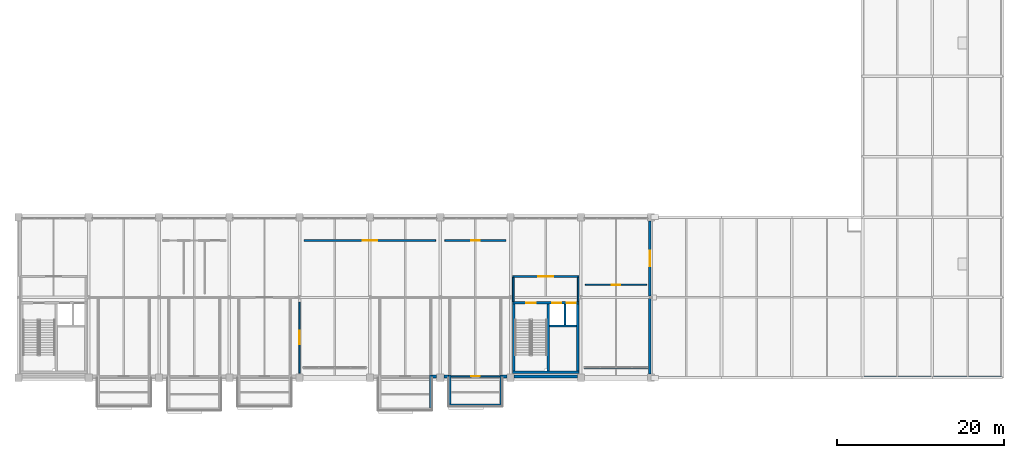
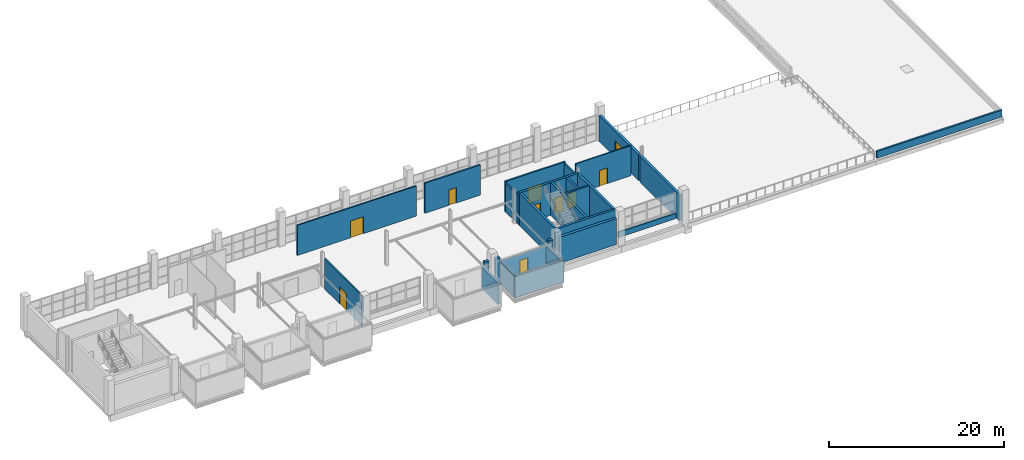
# One storey, part 25 of 29: 27 walls, 10 doors, 10 openings.
"""IFC4 building model written with IfcOpenShell, lengths in metres."""

from ifc_helpers import new_model, si_unit, direction, frame, frame_2d, origin, place, context, subcontext, project, spatial, rectangle, extrude, material, layer, layer_set, type_object, element, fill, save


model = new_model("IFC4")

# Units and contexts
model_context = context("Model", 3, precision=1e-05, world=origin(), true_north=direction((0.0, 1.0)))
body_context = subcontext(model_context, "Body", "Model", "MODEL_VIEW")
ifc_project = project(units=[si_unit("LENGTHUNIT", "METRE"), si_unit("AREAUNIT", "SQUARE_METRE"), si_unit("VOLUMEUNIT", "CUBIC_METRE"), si_unit("PLANEANGLEUNIT", "RADIAN"), si_unit("MASSUNIT", "GRAM", prefix="KILO")], contexts=[model_context])

# Site, building, storey
site_placement = place(None, origin())
site = spatial("IfcSite", under=ifc_project, at=site_placement, CompositionType="ELEMENT")
building_placement = place(site_placement, origin())
building = spatial("IfcBuilding", under=site, at=building_placement, Name="Veltarok Museum of Natural Sciences", CompositionType="ELEMENT")
storey_placement = place(building_placement, frame((0.0, 0.0, 26.39990234375)))
storey = spatial("IfcBuildingStorey", under=building, at=storey_placement, Name="L05", CompositionType="ELEMENT", Elevation=26.39990234375)

# Wall, opening, door
ifc_material_1 = material(Name="Concrete C35/45", Category="concrete")
ifc_layer_1 = layer(ifc_material_1, 0.219970703125)
ifc_layer_set_1 = layer_set([ifc_layer_1], Name="Concrete C35/45")
wall_type_1 = type_object("IfcWallType", Name="Archive Compartment Partition 220", PredefinedType="PARTITIONING", material=ifc_layer_set_1)
wall_1_placement = place(storey_placement, frame((82.550048828125, 16.39990234375, 0.0), z_axis=(0.0, 0.0, 1.0), x_axis=(1.0, 0.0, 0.0)))
wall_1 = element("IfcWall", 1, at=wall_1_placement, inside=storey, type_object=wall_type_1, Name="Interior Partition L05-061", PredefinedType="PARTITIONING", context=body_context, shape_type="SweptSolid", body=[
    extrude(rectangle(XDim=7.300048828125, YDim=0.219970703125, at=frame_2d((3.64990234375, 0.0))), origin(), (0.0, 0.0, 1.0), 4.192138671875),
])
opening_1_placement = place(wall_1_placement, frame((3.14990234375, 0.0, 0.0)))
opening_1 = element("IfcOpeningElement", 2, at=opening_1_placement, cuts=wall_1, Name="Opening D-L05-187", PredefinedType="OPENING", context=body_context, shape_type="SweptSolid", body=[
    extrude(rectangle(XDim=1.0, YDim=2.14990234375, at=frame_2d((0.5, 1.074951171875))), frame((0.0, 0.1201171875, 0.0), z_axis=(0.0, -1.0, 0.0), x_axis=(1.0, 0.0, 0.0)), (0.0, 0.0, 1.0), 0.239990234375),
])
ifc_material_2 = material(Name="Fire-rated painted steel", Category="steel")
door_type_1 = type_object("IfcDoorType", Name="Fire Compartment Single Door 1000x2150", OperationType="NOTDEFINED", PredefinedType="DOOR", material=ifc_material_2)
door_1_placement = place(opening_1_placement, origin())
door_1 = element("IfcDoor", 3, at=door_1_placement, inside=storey, type_object=door_type_1, Name="Interior Door D-L05-187", OperationType="SINGLE_SWING_LEFT", OverallHeight=2.14990234375, OverallWidth=1.0, PredefinedType="DOOR", context=body_context, shape_type="SweptSolid", body=[
    extrude(rectangle(XDim=1.0, YDim=2.14990234375, at=frame_2d((0.5, 1.074951171875))), frame((0.0, 0.02490234375, 0.0), z_axis=(0.0, -1.0, 0.0), x_axis=(1.0, 0.0, 0.0)), (0.0, 0.0, 1.0), 0.050048828125),
])
fill(opening_1, door_1)

# Walls
ifc_material_3 = material(Name="Precast concrete C40/50", Category="concrete")
ifc_layer_2 = layer(ifc_material_3, 0.280029296875)
ifc_layer_set_2 = layer_set([ifc_layer_2], Name="Precast concrete C40/50")
wall_type_2 = type_object("IfcWallType", Name="Cabinet Box Insulated Backup Wall 280", PredefinedType="SOLIDWALL", material=ifc_layer_set_2)
wall_2_placement = place(storey_placement, frame((83.0, -3.260009765625, 0.0), z_axis=(0.0, 0.0, 1.0), x_axis=(1.0, 0.0, 0.0)))
element("IfcWall", 4, at=wall_2_placement, inside=storey, type_object=wall_type_2, Name="Cabinet Box Wall DB-29-S", PredefinedType="SOLIDWALL", context=body_context, shape_type="SweptSolid", body=[
    extrude(rectangle(XDim=6.39990234375, YDim=0.280029296875, at=frame_2d((3.199951171875, 0.0))), origin(), (0.0, 0.0, 1.0), 2.989990234375),
])
for number, where, z_axis, x_axis, name in (
    (5, (83.139892578125, 0.360107421875, 0.0), (0.0, 0.0, 1.0), (0.0, -1.0, 0.0), "Cabinet Box Wall DB-29-W"),
    (6, (89.260009765625, -3.1201171875, 0.0), (0.0, 0.0, 1.0), (0.0, 1.0, 0.0), "Cabinet Box Wall DB-29-E"),
):
    element("IfcWall", number, at=place(storey_placement, frame(where, z_axis=z_axis, x_axis=x_axis)), inside=storey, type_object=wall_type_2, Name=name, PredefinedType="SOLIDWALL", context=body_context, shape_type="SweptSolid", body=[
        extrude(rectangle(XDim=3.480224609375, YDim=0.280029296875, at=frame_2d((1.740234375, 0.0))), origin(), (0.0, 0.0, 1.0), 2.989990234375),
    ])

# Wall, opening, door
ifc_material_4 = material(Name="Acoustic gypsum and mineral wool")
ifc_layer_3 = layer(ifc_material_4, 0.14990234375)
ifc_layer_set_3 = layer_set([ifc_layer_3], Name="Acoustic gypsum and mineral wool")
wall_type_3 = type_object("IfcWallType", Name="Conservation Laboratory Partition 150", PredefinedType="PARTITIONING", material=ifc_layer_set_3)
wall_3_placement = place(storey_placement, frame((99.35009765625, 11.10009765625, 0.0), z_axis=(0.0, 0.0, 1.0), x_axis=(1.0, 0.0, 0.0)))
wall_3 = element("IfcWall", 7, at=wall_3_placement, inside=storey, type_object=wall_type_3, Name="Interior Partition L05-062", PredefinedType="PARTITIONING", context=body_context, shape_type="SweptSolid", body=[
    extrude(rectangle(XDim=7.2998046875, YDim=0.14990234375, at=frame_2d((3.64990234375, 0.0))), origin(), (0.0, 0.0, 1.0), 4.192138671875),
])
opening_2_placement = place(wall_3_placement, frame((3.139892578125, 0.0, 0.0)))
opening_2 = element("IfcOpeningElement", 8, at=opening_2_placement, cuts=wall_3, Name="Opening D-L05-188", PredefinedType="OPENING", context=body_context, shape_type="SweptSolid", body=[
    extrude(rectangle(XDim=1.02001953125, YDim=2.179931640625, at=frame_2d((0.510009765625, 1.08984375))), frame((0.0, 0.0849609375, 0.0), z_axis=(0.0, -1.0, 0.0), x_axis=(1.0, 0.0, 0.0)), (0.0, 0.0, 1.0), 0.169921875),
])
ifc_material_5 = material(Name="Solid European oak")
door_type_2 = type_object("IfcDoorType", Name="Directorate Office Door 1020x2180", OperationType="NOTDEFINED", PredefinedType="DOOR", material=ifc_material_5)
door_2_placement = place(opening_2_placement, origin())
door_2 = element("IfcDoor", 9, at=door_2_placement, inside=storey, type_object=door_type_2, Name="Interior Door D-L05-188", OperationType="SINGLE_SWING_RIGHT", OverallHeight=2.179931640625, OverallWidth=1.02001953125, PredefinedType="DOOR", context=body_context, shape_type="SweptSolid", body=[
    extrude(rectangle(XDim=1.02001953125, YDim=2.179931640625, at=frame_2d((0.510009765625, 1.08984375))), frame((0.0, 0.02490234375, 0.0), z_axis=(0.0, -1.0, 0.0), x_axis=(1.0, 0.0, 0.0)), (0.0, 0.0, 1.0), 0.050048828125),
])
fill(opening_2, door_2)

# Wall
ifc_layer_4 = layer(ifc_material_3, 0.300048828125)
ifc_layer_set_4 = layer_set([ifc_layer_4], Name="Precast concrete C40/50")
wall_type_4 = type_object("IfcWallType", Name="Deep Cabinet Box Insulated Wall 300", PredefinedType="SOLIDWALL", material=ifc_layer_set_4)
wall_4_placement = place(storey_placement, frame((80.85009765625, -3.60009765625, 0.0), z_axis=(0.0, 0.0, 1.0), x_axis=(0.0, 1.0, 0.0)))
element("IfcWall", 10, at=wall_4_placement, inside=storey, type_object=wall_type_4, Name="Cabinet Box Wall DB-28-E", PredefinedType="SOLIDWALL", context=body_context, shape_type="SweptSolid", body=[
    extrude(rectangle(XDim=3.960205078125, YDim=0.300048828125, at=frame_2d((1.97998046875, 0.0))), origin(), (0.0, 0.0, 1.0), 2.989990234375),
])

# Wall, opening, door
ifc_layer_5 = layer(ifc_material_4, 0.179931640625)
ifc_layer_set_5 = layer_set([ifc_layer_5], Name="Acoustic gypsum and mineral wool")
wall_type_5 = type_object("IfcWallType", Name="Exhibition Gallery Partition 180", PredefinedType="PARTITIONING", material=ifc_layer_set_5)
wall_5_placement = place(storey_placement, frame((83.280029296875, 0.179931640625, 0.0), z_axis=(0.0, 0.0, 1.0), x_axis=(1.0, 0.0, 0.0)))
wall_5 = element("IfcWall", 11, at=wall_5_placement, inside=storey, type_object=wall_type_5, Name="Cabinet Threshold Partition DB-29", PredefinedType="PARTITIONING", context=body_context, shape_type="SweptSolid", body=[
    extrude(rectangle(XDim=5.840087890625, YDim=0.179931640625, at=frame_2d((2.919921875, 0.0))), origin(), (0.0, 0.0, 1.0), 2.989990234375),
])
opening_3_placement = place(wall_5_placement, frame((2.39990234375, 0.0, 0.0)))
opening_3 = element("IfcOpeningElement", 12, at=opening_3_placement, cuts=wall_5, Name="Opening D-L05-100", PredefinedType="OPENING", context=body_context, shape_type="SweptSolid", body=[
    extrude(rectangle(XDim=1.0400390625, YDim=2.179931640625, at=frame_2d((0.52001953125, 1.08984375))), frame((0.0, 0.10009765625, 0.0), z_axis=(0.0, -1.0, 0.0), x_axis=(1.0, 0.0, 0.0)), (0.0, 0.0, 1.0), 0.199951171875),
])
ifc_material_6 = material(Name="Airtight powder-coated steel", Category="steel")
door_type_3 = type_object("IfcDoorType", Name="Compact Cabinet Conservation Door 1040x2180", OperationType="NOTDEFINED", PredefinedType="DOOR", material=ifc_material_6)
door_3_placement = place(opening_3_placement, origin())
door_3 = element("IfcDoor", 13, at=door_3_placement, inside=storey, type_object=door_type_3, Name="Cabinet Conservation Door DB-29", OperationType="SINGLE_SWING_RIGHT", OverallHeight=2.179931640625, OverallWidth=1.0400390625, PredefinedType="DOOR", context=body_context, shape_type="SweptSolid", body=[
    extrude(rectangle(XDim=1.0400390625, YDim=2.179931640625, at=frame_2d((0.52001953125, 1.08984375))), frame((0.0, 0.02490234375, 0.0), z_axis=(0.0, -1.0, 0.0), x_axis=(1.0, 0.0, 0.0)), (0.0, 0.0, 1.0), 0.050048828125),
])
fill(opening_3, door_3)

wall_6_placement = place(storey_placement, frame((65.199951171875, 0.550048828125, 0.0), z_axis=(0.0, 0.0, 1.0), x_axis=(0.0, 1.0, 0.0)))
wall_6 = element("IfcWall", 14, at=wall_6_placement, inside=storey, type_object=wall_type_5, Name="Interior Partition L05-059", PredefinedType="PARTITIONING", context=body_context, shape_type="SweptSolid", body=[
    extrude(rectangle(XDim=8.5, YDim=0.179931640625, at=frame_2d((4.25, 0.0))), origin(), (0.0, 0.0, 1.0), 4.232177734375),
])
opening_4_placement = place(wall_6_placement, frame((3.449951171875, 0.0, 0.0)))
opening_4 = element("IfcOpeningElement", 15, at=opening_4_placement, cuts=wall_6, Name="Opening D-L05-185", PredefinedType="OPENING", context=body_context, shape_type="SweptSolid", body=[
    extrude(rectangle(XDim=1.60009765625, YDim=2.39990234375, at=frame_2d((0.800048828125, 1.199951171875))), frame((0.0, 0.10009765625, 0.0), z_axis=(0.0, -1.0, 0.0), x_axis=(1.0, 0.0, 0.0)), (0.0, 0.0, 1.0), 0.199951171875),
])
ifc_material_7 = material(Name="Solid European oak and safety glass", Category="glass")
door_type_4 = type_object("IfcDoorType", Name="Gallery Double Swing Door 1600x2400", OperationType="NOTDEFINED", PredefinedType="DOOR", material=ifc_material_7)
door_4_placement = place(opening_4_placement, origin())
door_4 = element("IfcDoor", 16, at=door_4_placement, inside=storey, type_object=door_type_4, Name="Interior Door D-L05-185", OperationType="DOUBLE_DOOR_SINGLE_SWING", OverallHeight=2.39990234375, OverallWidth=1.60009765625, PredefinedType="DOOR", context=body_context, shape_type="SweptSolid", body=[
    extrude(rectangle(XDim=1.60009765625, YDim=2.39990234375, at=frame_2d((0.800048828125, 1.199951171875))), frame((0.0, 0.02490234375, 0.0), z_axis=(0.0, -1.0, 0.0), x_axis=(1.0, 0.0, 0.0)), (0.0, 0.0, 1.0), 0.050048828125),
])
fill(opening_4, door_4)

wall_7_placement = place(storey_placement, frame((65.75, 16.39990234375, 0.0), z_axis=(0.0, 0.0, 1.0), x_axis=(1.0, 0.0, 0.0)))
wall_7 = element("IfcWall", 17, at=wall_7_placement, inside=storey, type_object=wall_type_5, Name="Interior Partition L05-060", PredefinedType="PARTITIONING", context=body_context, shape_type="SweptSolid", body=[
    extrude(rectangle(XDim=15.699951171875, YDim=0.179931640625, at=frame_2d((7.85009765625, 0.0))), origin(), (0.0, 0.0, 1.0), 4.192138671875),
])
opening_5_placement = place(wall_7_placement, frame((7.0, 0.0, 0.0)))
opening_5 = element("IfcOpeningElement", 18, at=opening_5_placement, cuts=wall_7, Name="Opening D-L05-186", PredefinedType="OPENING", context=body_context, shape_type="SweptSolid", body=[
    extrude(rectangle(XDim=1.699951171875, YDim=2.35009765625, at=frame_2d((0.85009765625, 1.175048828125))), frame((0.0, 0.10009765625, 0.0), z_axis=(0.0, -1.0, 0.0), x_axis=(1.0, 0.0, 0.0)), (0.0, 0.0, 1.0), 0.199951171875),
])
door_type_5 = type_object("IfcDoorType", Name="Gallery Interconnecting Double Door 1700x2350", OperationType="NOTDEFINED", PredefinedType="DOOR", material=ifc_material_7)
door_5_placement = place(opening_5_placement, origin())
door_5 = element("IfcDoor", 19, at=door_5_placement, inside=storey, type_object=door_type_5, Name="Interior Door D-L05-186", OperationType="DOUBLE_DOOR_SINGLE_SWING", OverallHeight=2.35009765625, OverallWidth=1.699951171875, PredefinedType="DOOR", context=body_context, shape_type="SweptSolid", body=[
    extrude(rectangle(XDim=1.699951171875, YDim=2.35009765625, at=frame_2d((0.85009765625, 1.175048828125))), frame((0.0, 0.02490234375, 0.0), z_axis=(0.0, -1.0, 0.0), x_axis=(1.0, 0.0, 0.0)), (0.0, 0.0, 1.0), 0.050048828125),
])
fill(opening_5, door_5)

# Walls
ifc_material_8 = material(Name="Concrete C40/50", Category="concrete")
ifc_layer_6 = layer(ifc_material_8, 0.360107421875)
ifc_layer_set_6 = layer_set([ifc_layer_6], Name="Concrete C40/50")
wall_type_6 = type_object("IfcWallType", Name="Exposed Architectural Concrete Facade Wall 360", PredefinedType="SOLIDWALL", material=ifc_layer_set_6)
for number, where, z_axis, x_axis, name in (
    (20, (81.0, 0.179931640625, 0.0), (0.0, 0.0, 1.0), (1.0, 0.0, 0.0), "Cabinet Collar Wall L05 9-10R"),
    (21, (82.425048828125, 0.179931640625, 0.0), (0.0, 0.0, 1.0), (1.0, 0.0, 0.0), "Cabinet Collar Wall L05 10-11L"),
):
    element("IfcWall", number, at=place(storey_placement, frame(where, z_axis=z_axis, x_axis=x_axis)), inside=storey, type_object=wall_type_6, Name=name, PredefinedType="SOLIDWALL", context=body_context, shape_type="SweptSolid", body=[
        extrude(rectangle(XDim=0.574951171875, YDim=0.360107421875, at=frame_2d((0.28759765625, 0.0))), origin(), (0.0, 0.0, 1.0), 3.625),
    ])
wall_8_placement = place(storey_placement, frame((89.39990234375, 0.179931640625, 0.0), z_axis=(0.0, 0.0, 1.0), x_axis=(1.0, 0.0, 0.0)))
element("IfcWall", 22, at=wall_8_placement, inside=storey, type_object=wall_type_6, Name="Cabinet Collar Wall L05 10-11R", PredefinedType="SOLIDWALL", context=body_context, shape_type="SweptSolid", body=[
    extrude(rectangle(XDim=0.5751953125, YDim=0.360107421875, at=frame_2d((0.28759765625, 0.0))), origin(), (0.0, 0.0, 1.0), 3.625),
])
wall_9_placement = place(storey_placement, frame((90.824951171875, 0.179931640625, 0.0), z_axis=(0.0, 0.0, 1.0), x_axis=(1.0, 0.0, 0.0)))
element("IfcWall", 23, at=wall_9_placement, inside=storey, type_object=wall_type_6, Name="South Core Facade Wall L05 11-12", PredefinedType="SOLIDWALL", context=body_context, shape_type="SweptSolid", body=[
    extrude(rectangle(XDim=7.550048828125, YDim=0.360107421875, at=frame_2d((3.77490234375, 0.0))), origin(), (0.0, 0.0, 1.0), 3.625),
])

# Wall, opening, door
ifc_layer_7 = layer(ifc_material_1, 0.199951171875)
ifc_layer_set_7 = layer_set([ifc_layer_7], Name="Concrete C35/45")
wall_type_7 = type_object("IfcWallType", Name="Firefighting Lobby Compartment Wall 200", PredefinedType="SOLIDWALL", material=ifc_layer_set_7)
wall_10_placement = place(storey_placement, frame((90.6298828125, 12.10009765625, 0.0), z_axis=(0.0, 0.0, 1.0), x_axis=(1.0, 0.0, 0.0)))
wall_10 = element("IfcWall", 24, at=wall_10_placement, inside=storey, type_object=wall_type_7, Name="Firefighting Lobby Wall C2 L05 N", PredefinedType="SOLIDWALL", context=body_context, shape_type="SweptSolid", body=[
    extrude(rectangle(XDim=7.940185546875, YDim=0.199951171875, at=frame_2d((3.97021484375, 0.0))), origin(), (0.0, 0.0, 1.0), 4.192138671875),
])
opening_6_placement = place(wall_10_placement, frame((3.070068359375, 0.0, 0.0)))
opening_6 = element("IfcOpeningElement", 25, at=opening_6_placement, cuts=wall_10, Name="Opening D-L05-071", PredefinedType="OPENING", context=body_context, shape_type="SweptSolid", body=[
    extrude(rectangle(XDim=1.800048828125, YDim=2.199951171875, at=frame_2d((0.89990234375, 1.10009765625))), frame((0.0, 0.10986328125, 0.0), z_axis=(0.0, -1.0, 0.0), x_axis=(1.0, 0.0, 0.0)), (0.0, 0.0, 1.0), 0.219970703125),
])
ifc_material_9 = material(Name="Fire-rated steel and vision glass", Category="steel")
door_type_6 = type_object("IfcDoorType", Name="Fire Lobby Double Door 1800x2200", OperationType="NOTDEFINED", PredefinedType="DOOR", material=ifc_material_9)
door_6_placement = place(opening_6_placement, origin())
door_6 = element("IfcDoor", 26, at=door_6_placement, inside=storey, type_object=door_type_6, Name="Firefighting Lobby Entrance Door C2 L05", OperationType="DOUBLE_DOOR_SINGLE_SWING", OverallHeight=2.199951171875, OverallWidth=1.800048828125, PredefinedType="DOOR", context=body_context, shape_type="SweptSolid", body=[
    extrude(rectangle(XDim=1.800048828125, YDim=2.199951171875, at=frame_2d((0.89990234375, 1.10009765625))), frame((0.0, 0.02490234375, 0.0), z_axis=(0.0, -1.0, 0.0), x_axis=(1.0, 0.0, 0.0)), (0.0, 0.0, 1.0), 0.050048828125),
])
fill(opening_6, door_6)

# Walls
for number, where, z_axis, x_axis, name in (
    (27, (90.72998046875, 9.10009765625, 0.0), (0.0, 0.0, 1.0), (0.0, 1.0, 0.0), "Firefighting Lobby Wall C2 L05 W"),
    (28, (98.469970703125, 12.0, 0.0), (0.0, 0.0, 1.0), (0.0, -1.0, 0.0), "Firefighting Lobby Wall C2 L05 E"),
):
    element("IfcWall", number, at=place(storey_placement, frame(where, z_axis=z_axis, x_axis=x_axis)), inside=storey, type_object=wall_type_7, Name=name, PredefinedType="SOLIDWALL", context=body_context, shape_type="SweptSolid", body=[
        extrude(rectangle(XDim=2.89990234375, YDim=0.199951171875, at=frame_2d((1.449951171875, 0.0))), origin(), (0.0, 0.0, 1.0), 4.022216796875),
    ])
ifc_layer_8 = layer(ifc_material_3, 0.239990234375)
ifc_layer_set_8 = layer_set([ifc_layer_8], Name="Precast concrete C40/50")
wall_type_8 = type_object("IfcWallType", Name="Flat Roof Concrete Parapet Wall 240", PredefinedType="PARAPET", material=ifc_layer_set_8)
wall_11_placement = place(storey_placement, frame((132.639892578125, 0.1201171875, 0.0), z_axis=(0.0, 0.0, 1.0), x_axis=(1.0, 0.0, 0.0)))
element("IfcWall", 29, at=wall_11_placement, inside=storey, type_object=wall_type_8, Name="Roof Parapet Wall L05-18", PredefinedType="PARAPET", context=body_context, shape_type="SweptSolid", body=[
    extrude(rectangle(XDim=16.440185546875, YDim=0.239990234375, at=frame_2d((8.22021484375, 0.0))), origin(), (0.0, 0.0, 1.0), 0.9501953125),
])

# Wall, opening, door
ifc_layer_9 = layer(ifc_material_3, 0.320068359375)
ifc_layer_set_9 = layer_set([ifc_layer_9], Name="Precast concrete C40/50")
wall_type_9 = type_object("IfcWallType", Name="Insulated Precast Facade Wall 320", PredefinedType="SOLIDWALL", material=ifc_layer_set_9)
wall_12_placement = place(storey_placement, frame((107.0400390625, 9.75, 0.0), z_axis=(0.0, 0.0, 1.0), x_axis=(0.0, 1.0, 0.0)))
wall_12 = element("IfcWall", 30, at=wall_12_placement, inside=storey, type_object=wall_type_9, Name="Terrace Access Wall L05 D-L05-T01", PredefinedType="SOLIDWALL", context=body_context, shape_type="SweptSolid", body=[
    extrude(rectangle(XDim=9.0, YDim=0.320068359375, at=frame_2d((4.5, 0.0))), origin(), (0.0, 0.0, 1.0), 3.6220703125),
])
opening_7_placement = place(wall_12_placement, frame((3.60009765625, 0.0, 0.0)))
opening_7 = element("IfcOpeningElement", 31, at=opening_7_placement, cuts=wall_12, Name="Opening D-L05-T01", PredefinedType="OPENING", context=body_context, shape_type="SweptSolid", body=[
    extrude(rectangle(XDim=1.800048828125, YDim=2.300048828125, at=frame_2d((0.89990234375, 1.14990234375))), frame((0.0, 0.169921875, 0.0), z_axis=(0.0, -1.0, 0.0), x_axis=(1.0, 0.0, 0.0)), (0.0, 0.0, 1.0), 0.340087890625),
])
ifc_material_10 = material(Name="Thermally broken aluminium and glass", Category="aluminium")
door_type_7 = type_object("IfcDoorType", Name="Terrace Double Glazed Door 1800x2300", OperationType="NOTDEFINED", PredefinedType="DOOR", material=ifc_material_10)
door_7_placement = place(opening_7_placement, frame((1.800048828125, 0.0, 0.0), z_axis=(0.0, 0.0, 1.0), x_axis=(-1.0, 0.0, 0.0)))
door_7 = element("IfcDoor", 32, at=door_7_placement, inside=storey, type_object=door_type_7, Name="Terrace Access Door D-L05-T01", OperationType="DOUBLE_DOOR_SINGLE_SWING", OverallHeight=2.300048828125, OverallWidth=1.800048828125, PredefinedType="DOOR", context=body_context, shape_type="SweptSolid", body=[
    extrude(rectangle(XDim=1.800048828125, YDim=2.300048828125, at=frame_2d((0.89990234375, 1.14990234375))), frame((0.0, 0.02490234375, 0.0), z_axis=(0.0, -1.0, 0.0), x_axis=(1.0, 0.0, 0.0)), (0.0, 0.0, 1.0), 0.050048828125),
])
fill(opening_7, door_7)

# Walls
wall_13_placement = place(storey_placement, frame((107.0400390625, 0.449951171875, 0.0), z_axis=(0.0, 0.0, 1.0), x_axis=(0.0, 1.0, 0.0)))
element("IfcWall", 33, at=wall_13_placement, inside=storey, type_object=wall_type_9, Name="V1 East End Facade Wall L05 13/A-B", PredefinedType="SOLIDWALL", context=body_context, shape_type="SweptSolid", body=[
    extrude(rectangle(XDim=9.0, YDim=0.320068359375, at=frame_2d((4.5, 0.0))), origin(), (0.0, 0.0, 1.0), 3.6220703125),
])
ifc_layer_10 = layer(ifc_material_8, 0.25)
ifc_layer_set_10 = layer_set([ifc_layer_10], Name="Concrete C40/50")
wall_type_10 = type_object("IfcWallType", Name="Lift Shaft Concrete Shear Wall 250", PredefinedType="SHEAR", material=ifc_layer_set_10)
wall_14_placement = place(storey_placement, frame((96.9150390625, 6.300048828125, 0.0), z_axis=(0.0, 0.0, 1.0), x_axis=(0.0, 1.0, 0.0)))
element("IfcWall", 34, at=wall_14_placement, inside=storey, type_object=wall_type_10, Name="Lift Shaft Divider Wall C2 L05", PredefinedType="SHEAR", context=body_context, shape_type="SweptSolid", body=[
    extrude(rectangle(XDim=2.5, YDim=0.25, at=frame_2d((1.25, 0.0))), origin(), (0.0, 0.0, 1.0), 4.5400390625),
])
wall_15_placement = place(storey_placement, frame((95.070068359375, 6.175048828125, 0.0), z_axis=(0.0, 0.0, 1.0), x_axis=(1.0, 0.0, 0.0)))
element("IfcWall", 35, at=wall_15_placement, inside=storey, type_object=wall_type_10, Name="Lift Shaft Back Wall C2 L05", PredefinedType="SHEAR", context=body_context, shape_type="SweptSolid", body=[
    extrude(rectangle(XDim=3.199951171875, YDim=0.25, at=frame_2d((1.60009765625, 0.0))), origin(), (0.0, 0.0, 1.0), 4.5400390625),
])
ifc_layer_11 = layer(ifc_material_8, 0.300048828125)
ifc_layer_set_11 = layer_set([ifc_layer_11], Name="Concrete C40/50")
wall_type_11 = type_object("IfcWallType", Name="Protected Core Shear Wall 300", PredefinedType="SHEAR", material=ifc_layer_set_11)
wall_16_placement = place(storey_placement, frame((90.6298828125, 0.64990234375, 0.0), z_axis=(0.0, 0.0, 1.0), x_axis=(1.0, 0.0, 0.0)))
element("IfcWall", 36, at=wall_16_placement, inside=storey, type_object=wall_type_11, Name="Core Shear Wall C2 L05 S", PredefinedType="SHEAR", context=body_context, shape_type="SweptSolid", body=[
    extrude(rectangle(XDim=7.940185546875, YDim=0.300048828125, at=frame_2d((3.97021484375, 0.0))), origin(), (0.0, 0.0, 1.0), 4.5400390625),
])

# Wall, openings, doors
wall_17_placement = place(storey_placement, frame((98.570068359375, 8.949951171875, 0.0), z_axis=(0.0, 0.0, 1.0), x_axis=(-1.0, 0.0, 0.0)))
wall_17 = element("IfcWall", 37, at=wall_17_placement, inside=storey, type_object=wall_type_11, Name="Core Shear Wall C2 L05 N", PredefinedType="SHEAR", context=body_context, shape_type="SweptSolid", body=[
    extrude(rectangle(XDim=7.940185546875, YDim=0.300048828125, at=frame_2d((3.97021484375, 0.0))), origin(), (0.0, 0.0, 1.0), 4.5400390625),
])
opening_8_placement = place(wall_17_placement, frame((5.169921875, 0.0, 0.0)))
opening_8 = element("IfcOpeningElement", 38, at=opening_8_placement, cuts=wall_17, Name="Opening D-L05-070", PredefinedType="OPENING", context=body_context, shape_type="SweptSolid", body=[
    extrude(rectangle(XDim=1.10009765625, YDim=2.199951171875, at=frame_2d((0.550048828125, 1.10009765625))), frame((0.0, 0.16015625, 0.0), z_axis=(0.0, -1.0, 0.0), x_axis=(1.0, 0.0, 0.0)), (0.0, 0.0, 1.0), 0.320068359375),
])
opening_9_placement = place(wall_17_placement, frame((2.090087890625, 0.0, 0.0)))
opening_9 = element("IfcOpeningElement", 39, at=opening_9_placement, cuts=wall_17, Name="Opening LD-L05-LP-02", PredefinedType="OPENING", context=body_context, shape_type="SweptSolid", body=[
    extrude(rectangle(XDim=1.10009765625, YDim=2.10009765625, at=frame_2d((0.550048828125, 1.050048828125))), frame((0.0, 0.16015625, 0.0), z_axis=(0.0, -1.0, 0.0), x_axis=(1.0, 0.0, 0.0)), (0.0, 0.0, 1.0), 0.320068359375),
])
opening_10_placement = place(wall_17_placement, frame((0.364990234375, 0.0, 0.0)))
opening_10 = element("IfcOpeningElement", 40, at=opening_10_placement, cuts=wall_17, Name="Opening LD-L05-FL-02", PredefinedType="OPENING", context=body_context, shape_type="SweptSolid", body=[
    extrude(rectangle(XDim=1.10009765625, YDim=2.10009765625, at=frame_2d((0.550048828125, 1.050048828125))), frame((0.0, 0.16015625, 0.0), z_axis=(0.0, -1.0, 0.0), x_axis=(1.0, 0.0, 0.0)), (0.0, 0.0, 1.0), 0.320068359375),
])
door_type_8 = type_object("IfcDoorType", Name="Fire Core Single Escape Door 1100x2200", OperationType="NOTDEFINED", PredefinedType="DOOR", material=ifc_material_2)
door_8_placement = place(opening_8_placement, origin())
door_8 = element("IfcDoor", 41, at=door_8_placement, inside=storey, type_object=door_type_8, Name="Protected Stair Door ST-02 L05", OperationType="SINGLE_SWING_LEFT", OverallHeight=2.199951171875, OverallWidth=1.10009765625, PredefinedType="DOOR", context=body_context, shape_type="SweptSolid", body=[
    extrude(rectangle(XDim=1.10009765625, YDim=2.199951171875, at=frame_2d((0.550048828125, 1.10009765625))), frame((0.0, 0.02490234375, 0.0), z_axis=(0.0, -1.0, 0.0), x_axis=(1.0, 0.0, 0.0)), (0.0, 0.0, 1.0), 0.050048828125),
])
fill(opening_8, door_8)
ifc_material_11 = material(Name="Brushed stainless steel", Category="steel")
door_type_9 = type_object("IfcDoorType", Name="Passenger and Firefighting Lift Landing Door 1100x2100", OperationType="SLIDING_TO_LEFT", PredefinedType="DOOR", material=ifc_material_11)
door_9_placement = place(opening_9_placement, origin())
door_9 = element("IfcDoor", 42, at=door_9_placement, inside=storey, type_object=door_type_9, Name="Sliding Lift Landing Door LD-L05-LP-02", OperationType="SLIDING_TO_LEFT", OverallHeight=2.10009765625, OverallWidth=1.10009765625, PredefinedType="DOOR", context=body_context, shape_type="SweptSolid", body=[
    extrude(rectangle(XDim=1.10009765625, YDim=2.10009765625, at=frame_2d((0.550048828125, 1.050048828125))), frame((0.0, 0.02490234375, 0.0), z_axis=(0.0, -1.0, 0.0), x_axis=(1.0, 0.0, 0.0)), (0.0, 0.0, 1.0), 0.050048828125),
])
fill(opening_9, door_9)
door_10_placement = place(opening_10_placement, origin())
door_10 = element("IfcDoor", 43, at=door_10_placement, inside=storey, type_object=door_type_9, Name="Sliding Lift Landing Door LD-L05-FL-02", OperationType="SLIDING_TO_LEFT", OverallHeight=2.10009765625, OverallWidth=1.10009765625, PredefinedType="DOOR", context=body_context, shape_type="SweptSolid", body=[
    extrude(rectangle(XDim=1.10009765625, YDim=2.10009765625, at=frame_2d((0.550048828125, 1.050048828125))), frame((0.0, 0.02490234375, 0.0), z_axis=(0.0, -1.0, 0.0), x_axis=(1.0, 0.0, 0.0)), (0.0, 0.0, 1.0), 0.050048828125),
])
fill(opening_10, door_10)

# Walls
for number, where, z_axis, x_axis, name in (
    (44, (90.780029296875, 8.800048828125, 0.0), (0.0, 0.0, 1.0), (0.0, -1.0, 0.0), "Core Shear Wall C2 L05 W"),
    (45, (98.419921875, 0.800048828125, 0.0), (0.0, 0.0, 1.0), (0.0, 1.0, 0.0), "Core Shear Wall C2 L05 E"),
    (46, (94.919921875, 0.800048828125, 0.0), (0.0, 0.0, 1.0), (0.0, 1.0, 0.0), "Core Shear Wall C2 L05 DIV"),
):
    element("IfcWall", number, at=place(storey_placement, frame(where, z_axis=z_axis, x_axis=x_axis)), inside=storey, type_object=wall_type_11, Name=name, PredefinedType="SHEAR", context=body_context, shape_type="SweptSolid", body=[
        extrude(rectangle(XDim=8.0, YDim=0.300048828125, at=frame_2d((4.0, 0.0))), origin(), (0.0, 0.0, 1.0), 4.5400390625),
    ])
ifc_layer_12 = layer(ifc_material_3, 0.219970703125)
ifc_layer_set_12 = layer_set([ifc_layer_12], Name="Precast concrete C40/50")
wall_type_12 = type_object("IfcWallType", Name="Terrace Upstand Curb Wall 220", PredefinedType="PARAPET", material=ifc_layer_set_12)
wall_18_placement = place(storey_placement, frame((99.22509765625, 1.199951171875, -0.001953125), z_axis=(0.0, 0.0, 1.0), x_axis=(1.0, 0.0, 0.0)))
element("IfcWall", 47, at=wall_18_placement, inside=storey, type_object=wall_type_12, Name="Curtain Wall Sill Upstand CW-0010", PredefinedType="PARAPET", context=body_context, shape_type="SweptSolid", body=[
    extrude(rectangle(XDim=7.5498046875, YDim=0.219970703125, at=frame_2d((3.77490234375, 0.0))), origin(), (0.0, 0.0, 1.0), 0.74609375),
])

save(model, "model.ifc")
